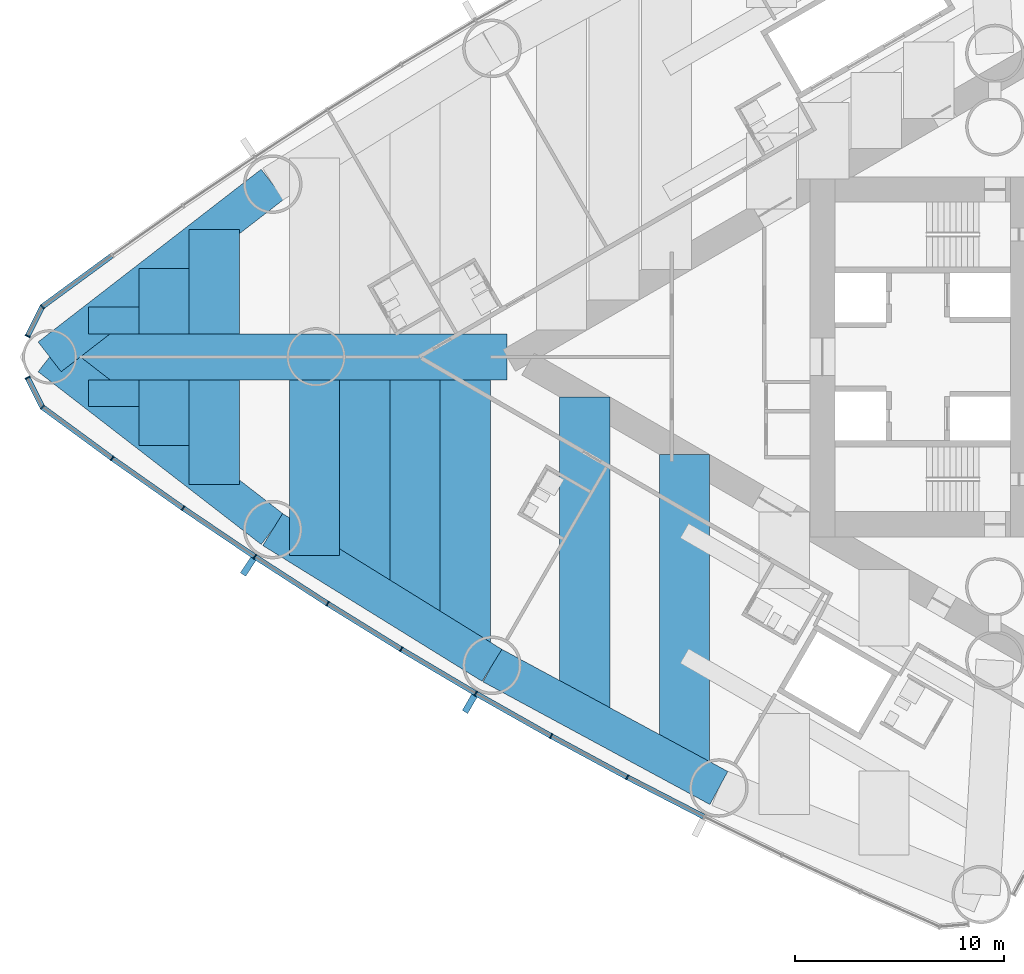
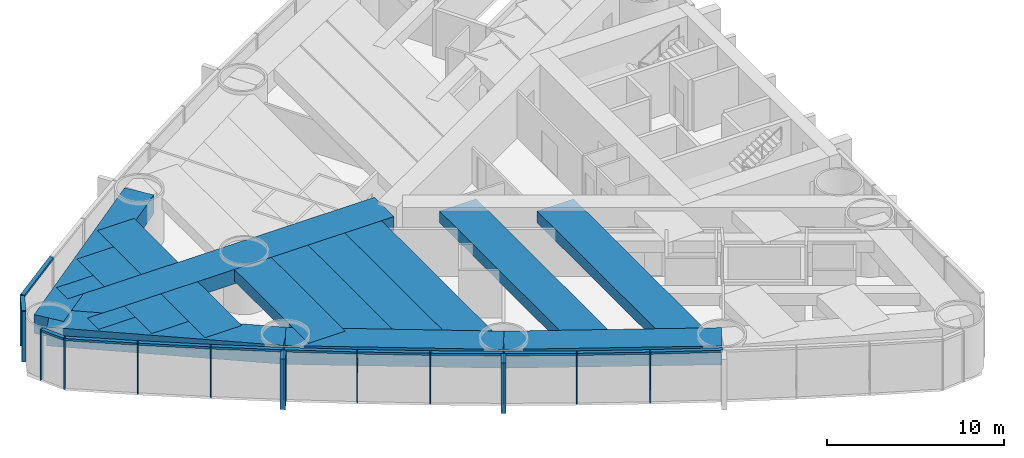
# One storey, part 2 of 19: 26 members, 17 beams, 2 elements without a shape of their own.
"""IFC4 building model written with IfcOpenShell, lengths in metres."""

from ifc_helpers import new_model, si_unit, direction, frame, origin, origin_2d, place, context, subcontext, project, spatial, rectangle, extrude, material, material_profile, profile_set, type_object, element, aggregate, save


model = new_model("IFC4")

# Units and contexts
model_context = context("Model", 3, precision=1e-05, world=origin(), true_north=direction((0.0, 1.0)))
body_context = subcontext(model_context, "Body", "Model", "MODEL_VIEW")
ifc_project = project(units=[si_unit("LENGTHUNIT", "METRE"), si_unit("AREAUNIT", "SQUARE_METRE"), si_unit("VOLUMEUNIT", "CUBIC_METRE"), si_unit("PLANEANGLEUNIT", "RADIAN"), si_unit("MASSUNIT", "GRAM", prefix="KILO")], contexts=[model_context])

# Site, building, storey
site_placement = place(None, origin())
site = spatial("IfcSite", under=ifc_project, at=site_placement, CompositionType="ELEMENT")
building_placement = place(site_placement, origin())
building = spatial("IfcBuilding", under=site, at=building_placement, Name="Lancet Gate Hotel", CompositionType="ELEMENT")
storey_placement = place(building_placement, frame((0.0, 0.0, 28.5)))
storey = spatial("IfcBuildingStorey", under=building, at=storey_placement, Name="L06", CompositionType="ELEMENT", Elevation=28.5)

# Curtain wall, members
ifc_material_1 = material(Name="Aluminium curtain wall", Category="aluminium")
curtain_wall_type = type_object("IfcCurtainWallType", Name="Tower unitised curtain wall", PredefinedType="USERDEFINED", material=ifc_material_1)
curtain_wall_1_placement = place(storey_placement, origin())
curtain_wall_1 = element("IfcCurtainWall", 1, at=curtain_wall_1_placement, inside=storey, type_object=curtain_wall_type, Name="T1 L06 curtain wall 2", ObjectType="UNITISED CURTAIN WALL", PredefinedType="USERDEFINED")
ifc_material_2 = material(Name="Aluminium mullion", Category="aluminium")
ifc_material_profile_1 = material_profile(ifc_material_2, rectangle(XDim=0.06494140625, YDim=0.25, at=origin_2d()), Name="MULLION 65x250")
ifc_profile_set_1 = profile_set([ifc_material_profile_1], Name="Aluminium mullion")
member_type_1 = type_object("IfcMemberType", Name="Aluminium mullion 65x250", PredefinedType="MULLION", material=ifc_profile_set_1)
member_1_placement = place(storey_placement, frame((-74.5830078125, 2.401611328125, 0.0), z_axis=(0.0, 0.0, 1.0), x_axis=(-0.723695580132, -0.690119342793, 0.0)))
member_1 = element("IfcMember", 2, at=member_1_placement, type_object=member_type_1, Name="T1 L06 curtain wall 2 mullion 14", PredefinedType="MULLION", context=body_context, shape_type="SweptSolid", body=[
    extrude(rectangle(XDim=0.06494140625, YDim=0.25, at=origin_2d()), origin(), (0.0, 0.0, 1.0), 3.5),
])
member_2_placement = place(storey_placement, frame((-75.287109375, 0.994873046875, 0.0), z_axis=(0.0, 0.0, 1.0), x_axis=(-0.447628324726, -0.89421970617, 0.0)))
member_2 = element("IfcMember", 3, at=member_2_placement, type_object=member_type_1, Name="T1 L06 curtain wall 2 mullion 15", PredefinedType="MULLION", context=body_context, shape_type="SweptSolid", body=[
    extrude(rectangle(XDim=0.06494140625, YDim=0.25, at=origin_2d()), origin(), (0.0, 0.0, 1.0), 3.5),
])

curtain_wall_2_placement = place(storey_placement, origin())
curtain_wall_2 = element("IfcCurtainWall", 4, at=curtain_wall_2_placement, inside=storey, type_object=curtain_wall_type, Name="T1 L06 curtain wall 3", ObjectType="UNITISED CURTAIN WALL", PredefinedType="USERDEFINED")
member_3_placement = place(storey_placement, frame((-75.287109375, -0.994873046875, 0.0), z_axis=(0.0, 0.0, 1.0), x_axis=(0.447628324726, -0.89421970617, 0.0)))
member_3 = element("IfcMember", 5, at=member_3_placement, type_object=member_type_1, Name="T1 L06 curtain wall 3 mullion 1", PredefinedType="MULLION", context=body_context, shape_type="SweptSolid", body=[
    extrude(rectangle(XDim=0.06494140625, YDim=0.25, at=origin_2d()), origin(), (0.0, 0.0, 1.0), 3.5),
])
member_4_placement = place(storey_placement, frame((-74.5830078125, -2.401611328125, 0.0), z_axis=(0.0, 0.0, 1.0), x_axis=(0.723695580132, -0.690119342793, 0.0)))
member_4 = element("IfcMember", 6, at=member_4_placement, type_object=member_type_1, Name="T1 L06 curtain wall 3 mullion 2", PredefinedType="MULLION", context=body_context, shape_type="SweptSolid", body=[
    extrude(rectangle(XDim=0.06494140625, YDim=0.25, at=origin_2d()), origin(), (0.0, 0.0, 1.0), 3.5),
])
member_5_placement = place(storey_placement, frame((-71.244384765625, -4.85009765625, 0.0), z_axis=(0.0, 0.0, 1.0), x_axis=(0.812146623168, -0.583453393578, 0.0)))
member_5 = element("IfcMember", 7, at=member_5_placement, type_object=member_type_1, Name="T1 L06 curtain wall 3 mullion 3", PredefinedType="MULLION", context=body_context, shape_type="SweptSolid", body=[
    extrude(rectangle(XDim=0.06494140625, YDim=0.25, at=origin_2d()), origin(), (0.0, 0.0, 1.0), 3.5),
])
member_6_placement = place(storey_placement, frame((-67.858154296875, -7.232666015625, 0.0), z_axis=(0.0, 0.0, 1.0), x_axis=(0.823425148573, -0.56742490666, 0.0)))
member_6 = element("IfcMember", 8, at=member_6_placement, type_object=member_type_1, Name="T1 L06 curtain wall 3 mullion 4", PredefinedType="MULLION", context=body_context, shape_type="SweptSolid", body=[
    extrude(rectangle(XDim=0.06494140625, YDim=0.25, at=origin_2d()), origin(), (0.0, 0.0, 1.0), 3.5),
])
member_7_placement = place(storey_placement, frame((-64.42626953125, -9.548583984375, 0.0), z_axis=(0.0, 0.0, 1.0), x_axis=(0.834387381945, -0.55117846189, 0.0)))
member_7 = element("IfcMember", 9, at=member_7_placement, type_object=member_type_1, Name="T1 L06 curtain wall 3 mullion 5", PredefinedType="MULLION", context=body_context, shape_type="SweptSolid", body=[
    extrude(rectangle(XDim=0.06494140625, YDim=0.25, at=origin_2d()), origin(), (0.0, 0.0, 1.0), 3.5),
])
member_8_placement = place(storey_placement, frame((-60.949462890625, -11.796630859375, 0.0), z_axis=(0.0, 0.0, 1.0), x_axis=(0.845029112489, -0.534720299827, 0.0)))
member_8 = element("IfcMember", 10, at=member_8_placement, type_object=member_type_1, Name="T1 L06 curtain wall 3 mullion 6", PredefinedType="MULLION", context=body_context, shape_type="SweptSolid", body=[
    extrude(rectangle(XDim=0.06494140625, YDim=0.25, at=origin_2d()), origin(), (0.0, 0.0, 1.0), 3.5),
])
member_9_placement = place(storey_placement, frame((-57.42919921875, -13.97607421875, 0.0), z_axis=(0.0, 0.0, 1.0), x_axis=(0.855346252548, -0.518056742309, 0.0)))
member_9 = element("IfcMember", 11, at=member_9_placement, type_object=member_type_1, Name="T1 L06 curtain wall 3 mullion 7", PredefinedType="MULLION", context=body_context, shape_type="SweptSolid", body=[
    extrude(rectangle(XDim=0.06494140625, YDim=0.25, at=origin_2d()), origin(), (0.0, 0.0, 1.0), 3.5),
])
member_10_placement = place(storey_placement, frame((-53.866943359375, -16.086181640625, 0.0), z_axis=(0.0, 0.0, 1.0), x_axis=(0.86533483912, -0.501194190115, 0.0)))
member_10 = element("IfcMember", 12, at=member_10_placement, type_object=member_type_1, Name="T1 L06 curtain wall 3 mullion 8", PredefinedType="MULLION", context=body_context, shape_type="SweptSolid", body=[
    extrude(rectangle(XDim=0.06494140625, YDim=0.25, at=origin_2d()), origin(), (0.0, 0.0, 1.0), 3.5),
])
member_11_placement = place(storey_placement, frame((-50.26416015625, -18.1259765625, 0.0), z_axis=(0.0, 0.0, 1.0), x_axis=(0.874991035403, -0.484139120464, 0.0)))
member_11 = element("IfcMember", 13, at=member_11_placement, type_object=member_type_1, Name="T1 L06 curtain wall 3 mullion 9", PredefinedType="MULLION", context=body_context, shape_type="SweptSolid", body=[
    extrude(rectangle(XDim=0.06494140625, YDim=0.25, at=origin_2d()), origin(), (0.0, 0.0, 1.0), 3.5),
])
member_12_placement = place(storey_placement, frame((-46.6220703125, -20.094970703125, 0.0), z_axis=(0.0, 0.0, 1.0), x_axis=(0.884311132302, -0.466898084475, 0.0)))
member_12 = element("IfcMember", 14, at=member_12_placement, type_object=member_type_1, Name="T1 L06 curtain wall 3 mullion 10", PredefinedType="MULLION", context=body_context, shape_type="SweptSolid", body=[
    extrude(rectangle(XDim=0.06494140625, YDim=0.25, at=origin_2d()), origin(), (0.0, 0.0, 1.0), 3.5),
])

# Member
ifc_material_3 = material(Name="Aluminium transom", Category="aluminium")
ifc_material_profile_2 = material_profile(ifc_material_3, rectangle(XDim=0.25, YDim=0.14990234375, at=origin_2d()), Name="TRANSOM 250x150")
ifc_profile_set_2 = profile_set([ifc_material_profile_2], Name="Aluminium transom")
member_type_2 = type_object("IfcMemberType", Name="Aluminium transom 250x150", PredefinedType="USERDEFINED", material=ifc_profile_set_2)
member_13_placement = place(storey_placement, frame((-71.2705078125, 4.8310546875, 3.425048828125), z_axis=(-0.806366902144, -0.59141560609, 0.0), x_axis=(0.59141560609, -0.806366902144, 0.0)))
member_13 = element("IfcMember", 15, at=member_13_placement, type_object=member_type_2, Name="T1 L06 curtain wall 2 transom 13", ObjectType="TRANSOM", PredefinedType="USERDEFINED", context=body_context, shape_type="SweptSolid", body=[
    extrude(rectangle(XDim=0.25, YDim=0.14990234375, at=origin_2d()), origin(), (0.0, 0.0, 1.0), 4.0751953125),
])

member_14_placement = place(storey_placement, frame((-74.597412109375, 2.37255859375, 3.425048828125), z_axis=(-0.447731503446, -0.894168049542, 0.0), x_axis=(0.894168049542, -0.447731503446, 0.0)))
member_14 = element("IfcMember", 16, at=member_14_placement, type_object=member_type_2, Name="T1 L06 curtain wall 2 transom 14", ObjectType="TRANSOM", PredefinedType="USERDEFINED", context=body_context, shape_type="SweptSolid", body=[
    extrude(rectangle(XDim=0.25, YDim=0.14990234375, at=origin_2d()), origin(), (0.0, 0.0, 1.0), 1.50830078125),
])

aggregate(curtain_wall_1, [member_1, member_2, member_13, member_14])

member_15_placement = place(storey_placement, frame((-75.272705078125, -1.02392578125, 3.425048828125), z_axis=(0.447731503446, -0.894168049542, 0.0), x_axis=(0.894168049542, 0.447731503446, 0.0)))
member_15 = element("IfcMember", 17, at=member_15_placement, type_object=member_type_2, Name="T1 L06 curtain wall 3 transom 1", ObjectType="TRANSOM", PredefinedType="USERDEFINED", context=body_context, shape_type="SweptSolid", body=[
    extrude(rectangle(XDim=0.25, YDim=0.14990234375, at=origin_2d()), origin(), (0.0, 0.0, 1.0), 1.50830078125),
])

member_16_placement = place(storey_placement, frame((-74.556640625, -2.4208984375, 3.425048828125), z_axis=(0.806366902144, -0.59141560609, 0.0), x_axis=(0.59141560609, 0.806366902144, 0.0)))
member_16 = element("IfcMember", 18, at=member_16_placement, type_object=member_type_2, Name="T1 L06 curtain wall 3 transom 2", ObjectType="TRANSOM", PredefinedType="USERDEFINED", context=body_context, shape_type="SweptSolid", body=[
    extrude(rectangle(XDim=0.25, YDim=0.14990234375, at=origin_2d()), origin(), (0.0, 0.0, 1.0), 4.0751953125),
])

member_17_placement = place(storey_placement, frame((-71.2177734375, -4.868896484375, 3.425048828125), z_axis=(0.817833568345, -0.57545482402, 0.0), x_axis=(0.57545482402, 0.817833568345, 0.0)))
member_17 = element("IfcMember", 19, at=member_17_placement, type_object=member_type_2, Name="T1 L06 curtain wall 3 transom 3", ObjectType="TRANSOM", PredefinedType="USERDEFINED", context=body_context, shape_type="SweptSolid", body=[
    extrude(rectangle(XDim=0.25, YDim=0.14990234375, at=origin_2d()), origin(), (0.0, 0.0, 1.0), 4.075439453125),
])

member_18_placement = place(storey_placement, frame((-67.831298828125, -7.2509765625, 3.425048828125), z_axis=(0.828959086782, -0.559309245804, 0.0), x_axis=(0.559309245804, 0.828959086782, 0.0)))
member_18 = element("IfcMember", 20, at=member_18_placement, type_object=member_type_2, Name="T1 L06 curtain wall 3 transom 4", ObjectType="TRANSOM", PredefinedType="USERDEFINED", context=body_context, shape_type="SweptSolid", body=[
    extrude(rectangle(XDim=0.25, YDim=0.14990234375, at=origin_2d()), origin(), (0.0, 0.0, 1.0), 4.0751953125),
])

member_19_placement = place(storey_placement, frame((-64.39892578125, -9.566162109375, 3.425048828125), z_axis=(0.839729242404, -0.543005340169, 0.0), x_axis=(0.543005340169, 0.839729242404, 0.0)))
member_19 = element("IfcMember", 21, at=member_19_placement, type_object=member_type_2, Name="T1 L06 curtain wall 3 transom 5", ObjectType="TRANSOM", PredefinedType="USERDEFINED", context=body_context, shape_type="SweptSolid", body=[
    extrude(rectangle(XDim=0.25, YDim=0.14990234375, at=origin_2d()), origin(), (0.0, 0.0, 1.0), 4.0751953125),
])

member_20_placement = place(storey_placement, frame((-60.921875, -11.813720703125, 3.425048828125), z_axis=(0.850242165643, -0.526391736032, 0.0), x_axis=(0.526391736032, 0.850242165643, 0.0)))
member_20 = element("IfcMember", 22, at=member_20_placement, type_object=member_type_2, Name="T1 L06 curtain wall 3 transom 6", ObjectType="TRANSOM", PredefinedType="USERDEFINED", context=body_context, shape_type="SweptSolid", body=[
    extrude(rectangle(XDim=0.25, YDim=0.14990234375, at=origin_2d()), origin(), (0.0, 0.0, 1.0), 4.075439453125),
])

member_21_placement = place(storey_placement, frame((-57.4013671875, -13.99267578125, 3.425048828125), z_axis=(0.86039174806, -0.509633240547, 0.0), x_axis=(0.509633240547, 0.86039174806, 0.0)))
member_21 = element("IfcMember", 23, at=member_21_placement, type_object=member_type_2, Name="T1 L06 curtain wall 3 transom 7", ObjectType="TRANSOM", PredefinedType="USERDEFINED", context=body_context, shape_type="SweptSolid", body=[
    extrude(rectangle(XDim=0.25, YDim=0.14990234375, at=origin_2d()), origin(), (0.0, 0.0, 1.0), 4.0751953125),
])

member_22_placement = place(storey_placement, frame((-53.838623046875, -16.102294921875, 3.425048828125), z_axis=(0.870197729943, -0.492702659625, 0.0), x_axis=(0.492702659625, 0.870197729943, 0.0)))
member_22 = element("IfcMember", 24, at=member_22_placement, type_object=member_type_2, Name="T1 L06 curtain wall 3 transom 8", ObjectType="TRANSOM", PredefinedType="USERDEFINED", context=body_context, shape_type="SweptSolid", body=[
    extrude(rectangle(XDim=0.25, YDim=0.14990234375, at=origin_2d()), origin(), (0.0, 0.0, 1.0), 4.0751953125),
])

member_23_placement = place(storey_placement, frame((-50.235595703125, -18.1416015625, 3.425048828125), z_axis=(0.87971396408, -0.475503250675, 0.0), x_axis=(0.475503250675, 0.87971396408, 0.0)))
member_23 = element("IfcMember", 25, at=member_23_placement, type_object=member_type_2, Name="T1 L06 curtain wall 3 transom 9", ObjectType="TRANSOM", PredefinedType="USERDEFINED", context=body_context, shape_type="SweptSolid", body=[
    extrude(rectangle(XDim=0.25, YDim=0.14990234375, at=origin_2d()), origin(), (0.0, 0.0, 1.0), 4.0751953125),
])

member_24_placement = place(storey_placement, frame((-46.593017578125, -20.10986328125, 3.425048828125), z_axis=(0.888859972399, -0.458178949175, 0.0), x_axis=(0.458178949175, 0.888859972399, 0.0)))
member_24 = element("IfcMember", 26, at=member_24_placement, type_object=member_type_2, Name="T1 L06 curtain wall 3 transom 10", ObjectType="TRANSOM", PredefinedType="USERDEFINED", context=body_context, shape_type="SweptSolid", body=[
    extrude(rectangle(XDim=0.25, YDim=0.14990234375, at=origin_2d()), origin(), (0.0, 0.0, 1.0), 4.0751953125),
])

# Beams
ifc_material_4 = material(Name="Concrete C50/60", Category="concrete")
ifc_material_profile_3 = material_profile(ifc_material_4, rectangle(XDim=1.800048828125, YDim=1.300048828125, at=origin_2d()), Name="RC 1800x1300")
ifc_profile_set_3 = profile_set([ifc_material_profile_3], Name="Concrete C50/60")
beam_type_1 = type_object("IfcBeamType", Name="Edge beam RC 1800x1300", PredefinedType="SPANDREL", material=ifc_profile_set_3)
for number, where, z_axis, x_axis, name in (
    (27, (-63.57177734375, 8.255126953125, 2.60009765625), (-0.790736428665, -0.612156761281, 0.0), (0.612156761281, -0.790736428665, 0.0), "T1 edge beam EB1 L06"),
    (28, (-74.235107421875, 0.0, 2.60009765625), (0.790736428665, -0.612156761281, 0.0), (0.612156761281, 0.790736428665, 0.0), "T1 edge beam EB1 L06"),
):
    element("IfcBeam", number, at=place(storey_placement, frame(where, z_axis=z_axis, x_axis=x_axis)), inside=storey, type_object=beam_type_1, Name=name, PredefinedType="SPANDREL", context=body_context, shape_type="SweptSolid", body=[
        extrude(rectangle(XDim=1.800048828125, YDim=1.300048828125, at=origin_2d()), origin(), (0.0, 0.0, 1.0), 13.4853515625),
    ])
for number, where, z_axis, x_axis, name in (
    (29, (-63.57177734375, -8.255126953125, 2.60009765625), (0.850225894333, -0.526418016984, 0.0), (0.526418016984, 0.850225894333, 0.0), "T1 edge beam EB1 L06"),
    (30, (-53.090087890625, -14.744873046875, 2.60009765625), (0.879692855603, -0.475542300749, 0.0), (0.475542300749, 0.879692855603, 0.0), "T1 edge beam EB1 L06"),
):
    element("IfcBeam", number, at=place(storey_placement, frame(where, z_axis=z_axis, x_axis=x_axis)), inside=storey, type_object=beam_type_1, Name=name, PredefinedType="SPANDREL", context=body_context, shape_type="SweptSolid", body=[
        extrude(rectangle(XDim=1.800048828125, YDim=1.300048828125, at=origin_2d()), origin(), (0.0, 0.0, 1.0), 12.328125),
    ])

# Member
ifc_material_5 = material(Name="Precast concrete C50/60", Category="concrete")
ifc_material_profile_4 = material_profile(ifc_material_5, rectangle(XDim=0.300048828125, YDim=0.89990234375, at=origin_2d()), Name="FIN 300x900")
ifc_profile_set_4 = profile_set([ifc_material_profile_4], Name="Precast concrete C50/60")
member_type_3 = type_object("IfcMemberType", Name="Exposed concrete fin 300x900", PredefinedType="USERDEFINED", material=ifc_profile_set_4)
member_25_placement = place(storey_placement, frame((-64.7431640625, -10.0283203125, 0.0), z_axis=(0.0, 0.0, 1.0), x_axis=(0.834387381945, -0.55117846189, 0.0)))
member_25 = element("IfcMember", 31, at=member_25_placement, type_object=member_type_3, Name="T1 L06 curtain wall 3 fin 5", ObjectType="FIN", PredefinedType="USERDEFINED", context=body_context, shape_type="SweptSolid", body=[
    extrude(rectangle(XDim=0.300048828125, YDim=0.89990234375, at=origin_2d()), origin(), (0.0, 0.0, 1.0), 3.5),
])

member_26_placement = place(storey_placement, frame((-54.1552734375, -16.583740234375, 0.0), z_axis=(0.0, 0.0, 1.0), x_axis=(0.86533483912, -0.501194190115, 0.0)))
member_26 = element("IfcMember", 32, at=member_26_placement, type_object=member_type_3, Name="T1 L06 curtain wall 3 fin 8", ObjectType="FIN", PredefinedType="USERDEFINED", context=body_context, shape_type="SweptSolid", body=[
    extrude(rectangle(XDim=0.300048828125, YDim=0.89990234375, at=origin_2d()), origin(), (0.0, 0.0, 1.0), 3.5),
])

aggregate(curtain_wall_2, [member_3, member_4, member_5, member_6, member_7, member_25, member_8, member_9, member_10, member_26, member_11, member_12, member_15, member_16, member_17, member_18, member_19, member_20, member_21, member_22, member_23, member_24])

# Beams
ifc_material_6 = material(Name="Concrete C50/60", Category="concrete")
ifc_material_profile_5 = material_profile(ifc_material_6, rectangle(XDim=2.39990234375, YDim=0.800048828125, at=origin_2d()), Name="RC 2400x800")
ifc_profile_set_5 = profile_set([ifc_material_profile_5], Name="Concrete C50/60")
beam_type_2 = type_object("IfcBeamType", Name="Floor beam RC 2400x800", PredefinedType="BEAM", material=ifc_profile_set_5)
beam_1_placement = place(storey_placement, frame((-43.891357421875, -4.663330078125, 2.85009765625), z_axis=(0.0, -1.0, 0.0), x_axis=(1.0, 0.0, 0.0)))
element("IfcBeam", 33, at=beam_1_placement, inside=storey, type_object=beam_type_2, Name="T1 floor beam F08N L06", PredefinedType="BEAM", context=body_context, shape_type="SweptSolid", body=[
    extrude(rectangle(XDim=2.39990234375, YDim=0.800048828125, at=origin_2d()), origin(), (0.0, 0.0, 1.0), 15.05419921875),
])
beam_2_placement = place(storey_placement, frame((-48.66015625, -1.909912109375, 2.85009765625), z_axis=(0.0, -1.0, 0.0), x_axis=(1.0, 0.0, 0.0)))
element("IfcBeam", 34, at=beam_2_placement, inside=storey, type_object=beam_type_2, Name="T1 floor beam F11N L06", PredefinedType="BEAM", context=body_context, shape_type="SweptSolid", body=[
    extrude(rectangle(XDim=2.39990234375, YDim=0.800048828125, at=origin_2d()), origin(), (0.0, 0.0, 1.0), 15.229736328125),
])
beam_3_placement = place(storey_placement, frame((-54.3681640625, -1.10009765625, 2.85009765625), z_axis=(0.0, -1.0, 0.0), x_axis=(1.0, 0.0, 0.0)))
element("IfcBeam", 35, at=beam_3_placement, inside=storey, type_object=beam_type_2, Name="T1 floor beam F14N L06", PredefinedType="BEAM", context=body_context, shape_type="SweptSolid", body=[
    extrude(rectangle(XDim=2.39990234375, YDim=0.800048828125, at=origin_2d()), origin(), (0.0, 0.0, 1.0), 12.853515625),
])
beam_4_placement = place(storey_placement, frame((-56.768310546875, -1.10009765625, 2.85009765625), z_axis=(0.0, -1.0, 0.0), x_axis=(1.0, 0.0, 0.0)))
element("IfcBeam", 36, at=beam_4_placement, inside=storey, type_object=beam_type_2, Name="T1 floor beam F16N L06", PredefinedType="BEAM", context=body_context, shape_type="SweptSolid", body=[
    extrude(rectangle(XDim=2.39990234375, YDim=0.800048828125, at=origin_2d()), origin(), (0.0, 0.0, 1.0), 11.367431640625),
])
beam_5_placement = place(storey_placement, frame((-59.168212890625, -1.10009765625, 2.85009765625), z_axis=(0.0, -1.0, 0.0), x_axis=(1.0, 0.0, 0.0)))
element("IfcBeam", 37, at=beam_5_placement, inside=storey, type_object=beam_type_2, Name="T1 floor beam F18N L06", PredefinedType="BEAM", context=body_context, shape_type="SweptSolid", body=[
    extrude(rectangle(XDim=2.39990234375, YDim=0.800048828125, at=origin_2d()), origin(), (0.0, 0.0, 1.0), 9.881591796875),
])
beam_6_placement = place(storey_placement, frame((-61.568359375, -1.10009765625, 2.85009765625), z_axis=(0.0, -1.0, 0.0), x_axis=(1.0, 0.0, 0.0)))
element("IfcBeam", 38, at=beam_6_placement, inside=storey, type_object=beam_type_2, Name="T1 floor beam F20N L06", PredefinedType="BEAM", context=body_context, shape_type="SweptSolid", body=[
    extrude(rectangle(XDim=2.39990234375, YDim=0.800048828125, at=origin_2d()), origin(), (0.0, 0.0, 1.0), 8.395751953125),
])
for number, where, z_axis, x_axis, name in (
    (39, (-66.3681640625, 6.09033203125, 2.85009765625), (0.0, -1.0, 0.0), (1.0, 0.0, 0.0), "T1 floor beam F21S L06"),
    (40, (-66.3681640625, -1.10009765625, 2.85009765625), (0.0, -1.0, 0.0), (1.0, 0.0, 0.0), "T1 floor beam F22N L06"),
):
    element("IfcBeam", number, at=place(storey_placement, frame(where, z_axis=z_axis, x_axis=x_axis)), inside=storey, type_object=beam_type_2, Name=name, PredefinedType="BEAM", context=body_context, shape_type="SweptSolid", body=[
        extrude(rectangle(XDim=2.39990234375, YDim=0.800048828125, at=origin_2d()), origin(), (0.0, 0.0, 1.0), 4.990234375),
    ])
for number, where, z_axis, x_axis, name in (
    (41, (-68.768310546875, 4.232421875, 2.85009765625), (0.0, -1.0, 0.0), (1.0, 0.0, 0.0), "T1 floor beam F23S L06"),
    (42, (-68.768310546875, -1.10009765625, 2.85009765625), (0.0, -1.0, 0.0), (1.0, 0.0, 0.0), "T1 floor beam F24N L06"),
):
    element("IfcBeam", number, at=place(storey_placement, frame(where, z_axis=z_axis, x_axis=x_axis)), inside=storey, type_object=beam_type_2, Name=name, PredefinedType="BEAM", context=body_context, shape_type="SweptSolid", body=[
        extrude(rectangle(XDim=2.39990234375, YDim=0.800048828125, at=origin_2d()), origin(), (0.0, 0.0, 1.0), 3.13232421875),
    ])
for number, where, z_axis, x_axis, name in (
    (43, (-71.168212890625, 2.374267578125, 2.85009765625), (0.0, -1.0, 0.0), (1.0, 0.0, 0.0), "T1 floor beam F25S L06"),
    (44, (-71.168212890625, -1.10009765625, 2.85009765625), (0.0, -1.0, 0.0), (1.0, 0.0, 0.0), "T1 floor beam F26N L06"),
):
    element("IfcBeam", number, at=place(storey_placement, frame(where, z_axis=z_axis, x_axis=x_axis)), inside=storey, type_object=beam_type_2, Name=name, PredefinedType="BEAM", context=body_context, shape_type="SweptSolid", body=[
        extrude(rectangle(XDim=2.39990234375, YDim=0.800048828125, at=origin_2d()), origin(), (0.0, 0.0, 1.0), 1.274169921875),
    ])
ifc_material_7 = material(Name="Concrete C50/60", Category="concrete")
ifc_material_profile_6 = material_profile(ifc_material_7, rectangle(XDim=2.199951171875, YDim=1.0, at=origin_2d()), Name="RC 2200x1000")
ifc_profile_set_6 = profile_set([ifc_material_profile_6], Name="Concrete C50/60")
beam_type_3 = type_object("IfcBeamType", Name="Radial floor beam RC 2200x1000", PredefinedType="BEAM", material=ifc_profile_set_6)
beam_7_placement = place(storey_placement, frame((-74.235107421875, 0.0, 2.75), z_axis=(1.0, 0.0, 0.0), x_axis=(0.0, 1.0, 0.0)))
element("IfcBeam", 45, at=beam_7_placement, inside=storey, type_object=beam_type_3, Name="T1 radial beam CA L06", PredefinedType="BEAM", context=body_context, shape_type="SweptSolid", body=[
    extrude(rectangle(XDim=2.199951171875, YDim=1.0, at=origin_2d()), origin(), (0.0, 0.0, 1.0), 21.866943359375),
])

save(model, "model.ifc")
